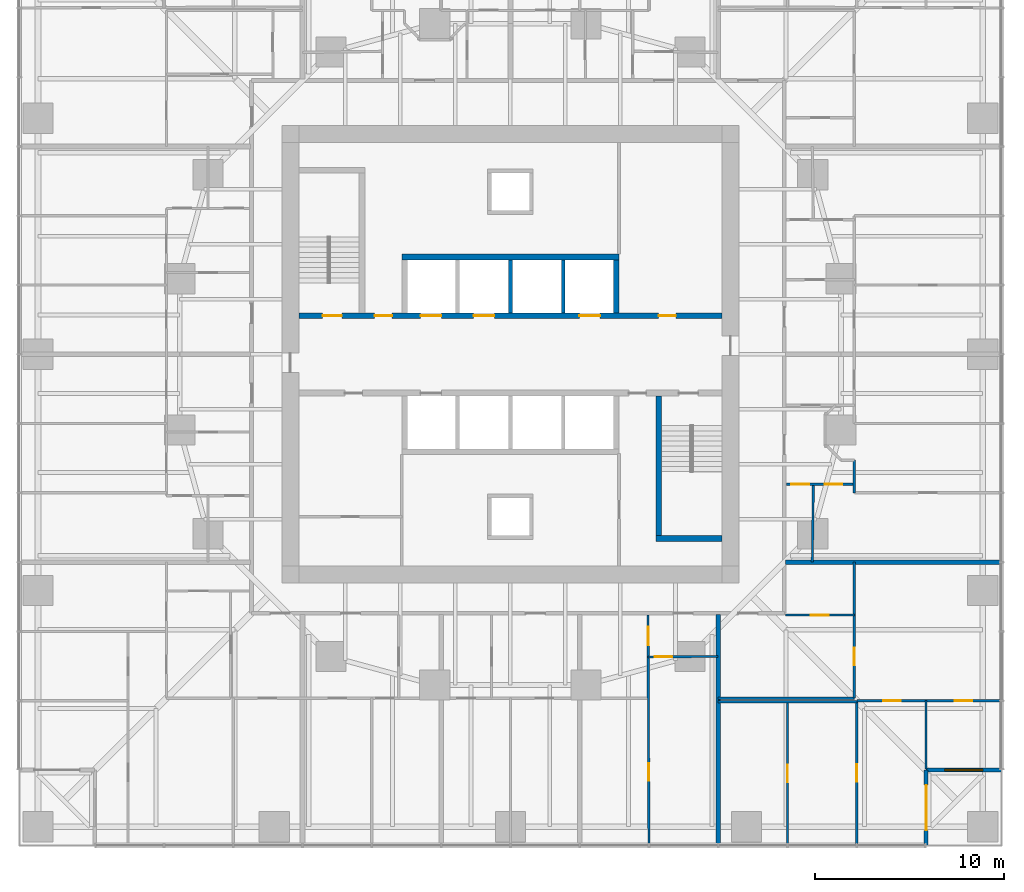
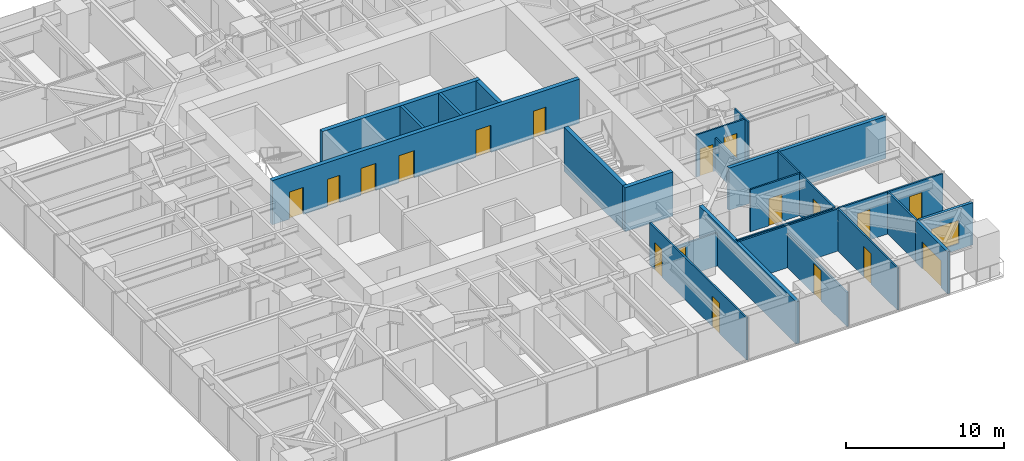
# One storey, part 10 of 16: 24 walls, 18 doors, 1 window, 19 openings.
"""IFC4 building model written with IfcOpenShell, lengths in metres."""

import ifcopenshell
import ifcopenshell.guid

model = None  # the IFC model being written
_history = None  # IfcOwnerHistory: only IFC2X3 demands one
_inside = {}  # id of a spatial element -> (the spatial element, [elements in it])
_under = {}  # id of a project, library or spatial element -> (it, [spatial elements below it])
_declared = {}  # id of a project -> (the project, [libraries it declares])
_typed = {}  # id of a type object -> (the type object, [elements of that type])
_made_of = {}  # id of a material, layer set ... -> (it, [elements and type objects made of it])


def new_model(schema):
    """Start an empty IFC model of exactly this schema.

    Asked for "IFC4X3", IfcOpenShell would pick the latest addendum, in which some entities
    have other attributes; the version numbers below select the first issue.
    IFC2X3 requires an IfcOwnerHistory on every rooted entity: one is made here for all.
    """
    global model, _history
    if schema == "IFC4X3":
        model = ifcopenshell.file(schema_version=(4, 3, 0, 0))
    else:
        model = ifcopenshell.file(schema=schema)
    _inside.clear()
    _under.clear()
    _declared.clear()
    _typed.clear()
    _made_of.clear()
    _history = None
    if model.schema == "IFC2X3":
        org = make("IfcOrganization", Name="unknown")
        user = make(
            "IfcPersonAndOrganization",
            ThePerson=make("IfcPerson", FamilyName="unknown"),
            TheOrganization=org,
        )
        app = make(
            "IfcApplication",
            ApplicationDeveloper=org,
            Version="unknown",
            ApplicationFullName="unknown",
            ApplicationIdentifier="unknown",
        )
        _history = make(
            "IfcOwnerHistory",
            OwningUser=user,
            OwningApplication=app,
            ChangeAction="ADDED",
            CreationDate=0,
        )
    return model


def make(cls, **values):
    """One entity of the class cls with the attributes given. An attribute that is None is left unset."""
    return model.create_entity(
        cls, **{name: value for name, value in values.items() if value is not None}
    )


def rooted(cls, **values):
    """An entity with a GlobalId (a new one), such as an element, a storey or a relation."""
    return make(cls, GlobalId=ifcopenshell.guid.new(), OwnerHistory=_history, **values)


def si_unit(unit_type, name, prefix=None):
    """IfcSIUnit, for example si_unit("LENGTHUNIT", "METRE", prefix="MILLI")."""
    return make("IfcSIUnit", UnitType=unit_type, Prefix=prefix, Name=name)


def assignment(units):
    """IfcUnitAssignment: the units of a project."""
    return None if units is None else make("IfcUnitAssignment", Units=units)


def point(xyz):
    """IfcCartesianPoint."""
    return None if xyz is None else make("IfcCartesianPoint", Coordinates=xyz)


def direction(xyz):
    """IfcDirection."""
    return None if xyz is None else make("IfcDirection", DirectionRatios=xyz)


def frame(location, z_axis=None, x_axis=None):
    """IfcAxis2Placement3D, a coordinate frame: its origin and axes. An axis left out is left unset."""
    return make(
        "IfcAxis2Placement3D",
        Location=point(location),
        Axis=direction(z_axis),
        RefDirection=direction(x_axis),
    )


def frame_2d(location, x_axis=None):
    """IfcAxis2Placement2D, a coordinate frame in the plane: its origin and x axis."""
    return make(
        "IfcAxis2Placement2D", Location=point(location), RefDirection=direction(x_axis)
    )


def origin():
    """The frame at (0, 0, 0) with its axes left unset."""
    return frame((0.0, 0.0, 0.0))


def place(relative_to, where):
    """IfcLocalPlacement: puts the frame where relative to a parent placement (None: the world)."""
    return make(
        "IfcLocalPlacement", PlacementRelTo=relative_to, RelativePlacement=where
    )


def context(
    kind, dimensions, precision=None, world=None, true_north=None, identifier=None
):
    """IfcGeometricRepresentationContext, for example the 3D "Model" context."""
    return make(
        "IfcGeometricRepresentationContext",
        ContextIdentifier=identifier,
        ContextType=kind,
        CoordinateSpaceDimension=dimensions,
        Precision=precision,
        WorldCoordinateSystem=world,
        TrueNorth=true_north,
    )


def subcontext(parent, identifier, kind, view, scale=None):
    """IfcGeometricRepresentationSubContext, for example "Body" below "Model"."""
    return make(
        "IfcGeometricRepresentationSubContext",
        ContextIdentifier=identifier,
        ContextType=kind,
        ParentContext=parent,
        TargetScale=scale,
        TargetView=view,
    )


def project(units=None, contexts=None):
    """IfcProject with its units and contexts."""
    return rooted(
        "IfcProject",
        Name="project",
        RepresentationContexts=contexts,
        UnitsInContext=assignment(units),
    )


def spatial(cls, under=None, at=None, **own):
    """A site, building, storey or space (cls), placed at a placement, below another one or the project."""
    s = rooted(cls, ObjectPlacement=at, **own)
    if under is not None:
        _under.setdefault(under.id(), (under, []))[1].append(s)
    return s


def profile(cls, at=None, kind="AREA", **sizes):
    """A parametric profile (cls). Its sizes go by their IFC names, for example OverallWidth=200.0."""
    return make(cls, ProfileType=kind, Position=at, **sizes)


def rectangle(**sizes):
    """IfcRectangleProfileDef."""
    return profile("IfcRectangleProfileDef", **sizes)


def extrude(swept, where, along, depth):
    """IfcExtrudedAreaSolid: the profile swept, set in the frame where, extruded along a direction by depth."""
    return make(
        "IfcExtrudedAreaSolid",
        SweptArea=swept,
        Position=where,
        ExtrudedDirection=direction(along),
        Depth=depth,
    )


def shape(context_of_items, identifier, shape_type, items):
    """IfcShapeRepresentation: the items that make up one representation, for example the "Body"."""
    return make(
        "IfcShapeRepresentation",
        ContextOfItems=context_of_items,
        RepresentationIdentifier=identifier,
        RepresentationType=shape_type,
        Items=items,
    )


def material(Name=None, Category=None):
    """IfcMaterial."""
    return make("IfcMaterial", Name=Name, Category=Category)


def layer(
    of_material, thickness, ventilated=None, Name=None, Category=None, Priority=None
):
    """IfcMaterialLayer: one layer of a wall or slab, of a material (None: an air gap)."""
    return make(
        "IfcMaterialLayer",
        Material=of_material,
        LayerThickness=thickness,
        IsVentilated=ventilated,
        Name=Name,
        Category=Category,
        Priority=Priority,
    )


def layer_set(layers, Name=None):
    """IfcMaterialLayerSet."""
    return make("IfcMaterialLayerSet", MaterialLayers=layers, LayerSetName=Name)


def made_of(thing, what):
    """Note that an element or type object is made of a material, layer set ...; save() writes the relation."""
    if what is not None:
        _made_of.setdefault(what.id(), (what, []))[1].append(thing)
    return thing


def type_object(cls, material=None, **own):
    """A type object (cls), such as IfcWallType, which elements share."""
    return made_of(rooted(cls, **own), material)


def element(
    cls,
    number,
    at=None,
    inside=None,
    cuts=None,
    type_object=None,
    material=None,
    context=None,
    identifier="Body",
    shape_type=None,
    held_by="IfcProductDefinitionShape",
    body=None,
    shapes=None,
    **own,
):
    """One element of the class cls, such as IfcWall. Its Tag is "e" and its number.

    at: its placement. inside: the storey or other place that contains it. cuts: it is an
    opening in that element (IfcRelVoidsElement). A single representation is given by context,
    identifier, shape_type and body (its items); several are given by shapes. held_by: the class
    of the entity that holds the representations. save() writes the other relations.
    """
    e = rooted(cls, Tag="e%d" % number, ObjectPlacement=at, **own)
    if body is not None:
        shapes = [shape(context, identifier, shape_type, body)]
    if shapes is not None:
        e.Representation = make(held_by, Representations=shapes)
    if inside is not None:
        _inside.setdefault(inside.id(), (inside, []))[1].append(e)
    if cuts is not None:
        rooted(
            "IfcRelVoidsElement", RelatingBuildingElement=cuts, RelatedOpeningElement=e
        )
    if type_object is not None:
        _typed.setdefault(type_object.id(), (type_object, []))[1].append(e)
    return made_of(e, material)


def fill(opening, filler):
    """IfcRelFillsElement: the door or window that sits in an opening."""
    return rooted(
        "IfcRelFillsElement",
        RelatingOpeningElement=opening,
        RelatedBuildingElement=filler,
    )


def aggregate(whole, parts):
    """IfcRelAggregates: a whole, such as a stair, and the parts it consists of."""
    return rooted("IfcRelAggregates", RelatingObject=whole, RelatedObjects=parts)


def save(model, path):
    """Write the relations noted so far, then the file.

    IfcRelAggregates (storeys below a building ...), IfcRelContainedInSpatialStructure (elements
    in a storey), IfcRelDefinesByType, IfcRelAssociatesMaterial and IfcRelDeclares: one each for
    every whole, place, type object, material and project.
    """
    for whole, parts in _under.values():
        aggregate(whole, parts)
    for where, things in _inside.values():
        rooted(
            "IfcRelContainedInSpatialStructure",
            RelatedElements=things,
            RelatingStructure=where,
        )
    for kind, things in _typed.values():
        rooted("IfcRelDefinesByType", RelatedObjects=things, RelatingType=kind)
    for what, things in _made_of.values():
        rooted("IfcRelAssociatesMaterial", RelatedObjects=things, RelatingMaterial=what)
    for by, libraries in _declared.values():
        rooted("IfcRelDeclares", RelatingContext=by, RelatedDefinitions=libraries)
    model.write(path)


model = new_model("IFC4")

# Units and contexts
model_context = context("Model", 3, precision=1e-05, world=origin(), true_north=direction((0.0, 1.0)))
body_context = subcontext(model_context, "Body", "Model", "MODEL_VIEW")
ifc_project = project(units=[si_unit("LENGTHUNIT", "METRE"), si_unit("AREAUNIT", "SQUARE_METRE"), si_unit("VOLUMEUNIT", "CUBIC_METRE"), si_unit("PLANEANGLEUNIT", "RADIAN"), si_unit("MASSUNIT", "GRAM", prefix="KILO")], contexts=[model_context])

# Site, building, storey
site_placement = place(None, origin())
site = spatial("IfcSite", under=ifc_project, at=site_placement, CompositionType="ELEMENT")
building_placement = place(site_placement, origin())
building = spatial("IfcBuilding", under=site, at=building_placement, Name="Torsade Residences", CompositionType="ELEMENT")
storey_placement = place(building_placement, frame((0.0, 0.0, 35.39990234375)))
storey = spatial("IfcBuildingStorey", under=building, at=storey_placement, Name="L09", CompositionType="ELEMENT", Elevation=35.39990234375)

# Wall, openings, doors
ifc_material_1 = material(Name="Concrete 80 MPa", Category="concrete")
ifc_layer_1 = layer(ifc_material_1, 0.300048828125)
ifc_layer_set_1 = layer_set([ifc_layer_1], Name="Concrete 80 MPa")
wall_type_1 = type_object("IfcWallType", Name="CORE INTERNAL WALL 300", PredefinedType="SHEAR", material=ifc_layer_set_1)
wall_1_placement = place(storey_placement, frame((28.800048828125, 32.050048828125, 0.0), z_axis=(0.0, 0.0, 1.0), x_axis=(1.0, 0.0, 0.0)))
wall_1 = element("IfcWall", 1, at=wall_1_placement, inside=storey, type_object=wall_type_1, Name="Core wall LN L09", PredefinedType="SHEAR", context=body_context, shape_type="SweptSolid", body=[
    extrude(rectangle(XDim=22.39990234375, YDim=0.300048828125, at=frame_2d((11.199951171875, 0.0))), origin(), (0.0, 0.0, 1.0), 3.400146484375),
])
opening_1_placement = place(wall_1_placement, frame((19.0400390625, 0.0, 0.0)))
opening_1 = element("IfcOpeningElement", 2, at=opening_1_placement, cuts=wall_1, Name="Opening D06", PredefinedType="OPENING", context=body_context, shape_type="SweptSolid", body=[
    extrude(rectangle(XDim=0.919921875, YDim=2.10009765625, at=frame_2d((0.4599609375, 1.050048828125))), frame((0.0, 0.159912109375, 0.0), z_axis=(0.0, -1.0, 0.0), x_axis=(1.0, 0.0, 0.0)), (0.0, 0.0, 1.0), 0.320068359375),
])
opening_2_placement = place(wall_1_placement, frame((1.264892578125, 0.0, 0.0)))
opening_2 = element("IfcOpeningElement", 3, at=opening_2_placement, cuts=wall_1, Name="Opening D03", PredefinedType="OPENING", context=body_context, shape_type="SweptSolid", body=[
    extrude(rectangle(XDim=1.02001953125, YDim=2.10009765625, at=frame_2d((0.510009765625, 1.050048828125))), frame((0.0, 0.159912109375, 0.0), z_axis=(0.0, -1.0, 0.0), x_axis=(1.0, 0.0, 0.0)), (0.0, 0.0, 1.0), 0.320068359375),
])
opening_3_placement = place(wall_1_placement, frame((4.014892578125, 0.0, 0.0)))
opening_3 = element("IfcOpeningElement", 4, at=opening_3_placement, cuts=wall_1, Name="Opening D06", PredefinedType="OPENING", context=body_context, shape_type="SweptSolid", body=[
    extrude(rectangle(XDim=0.919921875, YDim=2.10009765625, at=frame_2d((0.4599609375, 1.050048828125))), frame((0.0, 0.159912109375, 0.0), z_axis=(0.0, -1.0, 0.0), x_axis=(1.0, 0.0, 0.0)), (0.0, 0.0, 1.0), 0.320068359375),
])
opening_4_placement = place(wall_1_placement, frame((6.449951171875, 0.0, 0.0)))
opening_4 = element("IfcOpeningElement", 5, at=opening_4_placement, cuts=wall_1, Name="Opening LD", PredefinedType="OPENING", context=body_context, shape_type="SweptSolid", body=[
    extrude(rectangle(XDim=1.10009765625, YDim=2.10009765625, at=frame_2d((0.550048828125, 1.050048828125))), frame((0.0, 0.159912109375, 0.0), z_axis=(0.0, -1.0, 0.0), x_axis=(1.0, 0.0, 0.0)), (0.0, 0.0, 1.0), 0.320068359375),
])
opening_5_placement = place(wall_1_placement, frame((9.25, 0.0, 0.0)))
opening_5 = element("IfcOpeningElement", 6, at=opening_5_placement, cuts=wall_1, Name="Opening LD", PredefinedType="OPENING", context=body_context, shape_type="SweptSolid", body=[
    extrude(rectangle(XDim=1.10009765625, YDim=2.10009765625, at=frame_2d((0.550048828125, 1.050048828125))), frame((0.0, 0.159912109375, 0.0), z_axis=(0.0, -1.0, 0.0), x_axis=(1.0, 0.0, 0.0)), (0.0, 0.0, 1.0), 0.320068359375),
])
opening_6_placement = place(wall_1_placement, frame((14.85009765625, 0.0, 0.0)))
opening_6 = element("IfcOpeningElement", 7, at=opening_6_placement, cuts=wall_1, Name="Opening LD", PredefinedType="OPENING", context=body_context, shape_type="SweptSolid", body=[
    extrude(rectangle(XDim=1.10009765625, YDim=2.10009765625, at=frame_2d((0.550048828125, 1.050048828125))), frame((0.0, 0.159912109375, 0.0), z_axis=(0.0, -1.0, 0.0), x_axis=(1.0, 0.0, 0.0)), (0.0, 0.0, 1.0), 0.320068359375),
])
ifc_material_2 = material(Name="Steel-framed fire door", Category="steel")
door_type_1 = type_object("IfcDoorType", Name="FIRE DOOR 1020", OperationType="NOTDEFINED", PredefinedType="DOOR", material=ifc_material_2)
door_1_placement = place(opening_2_placement, origin())
door_1 = element("IfcDoor", 8, at=door_1_placement, inside=storey, type_object=door_type_1, Name="Exit door to fire-isolated stair ST1 L09", OperationType="SINGLE_SWING_RIGHT", OverallHeight=2.10009765625, OverallWidth=1.02001953125, PredefinedType="DOOR", context=body_context, shape_type="SweptSolid", body=[
    extrude(rectangle(XDim=1.02001953125, YDim=2.10009765625, at=frame_2d((0.510009765625, 1.050048828125))), frame((0.0, 0.02490234375, 0.0), z_axis=(0.0, -1.0, 0.0), x_axis=(1.0, 0.0, 0.0)), (0.0, 0.0, 1.0), 0.050048828125),
])
fill(opening_2, door_1)
ifc_material_3 = material(Name="Steel-framed fire door", Category="steel")
door_type_2 = type_object("IfcDoorType", Name="FIRE DOOR 920", OperationType="NOTDEFINED", PredefinedType="DOOR", material=ifc_material_3)
door_2_placement = place(opening_1_placement, origin())
door_2 = element("IfcDoor", 9, at=door_2_placement, inside=storey, type_object=door_type_2, Name="Door Lift lobby to Refuse room", OperationType="SINGLE_SWING_LEFT", OverallHeight=2.10009765625, OverallWidth=0.919921875, PredefinedType="DOOR", context=body_context, shape_type="SweptSolid", body=[
    extrude(rectangle(XDim=0.919921875, YDim=2.10009765625, at=frame_2d((0.4599609375, 1.050048828125))), frame((0.0, 0.02490234375, 0.0), z_axis=(0.0, -1.0, 0.0), x_axis=(1.0, 0.0, 0.0)), (0.0, 0.0, 1.0), 0.050048828125),
])
fill(opening_1, door_2)
door_3_placement = place(opening_3_placement, origin())
door_3 = element("IfcDoor", 10, at=door_3_placement, inside=storey, type_object=door_type_2, Name="Door Lift lobby to Electrical riser room", OperationType="SINGLE_SWING_LEFT", OverallHeight=2.10009765625, OverallWidth=0.919921875, PredefinedType="DOOR", context=body_context, shape_type="SweptSolid", body=[
    extrude(rectangle(XDim=0.919921875, YDim=2.10009765625, at=frame_2d((0.4599609375, 1.050048828125))), frame((0.0, 0.02490234375, 0.0), z_axis=(0.0, -1.0, 0.0), x_axis=(1.0, 0.0, 0.0)), (0.0, 0.0, 1.0), 0.050048828125),
])
fill(opening_3, door_3)
ifc_material_4 = material(Name="Stainless steel lift landing door", Category="steel")
door_type_3 = type_object("IfcDoorType", Name="LIFT LANDING DOOR 1100", OperationType="SLIDING_TO_LEFT", PredefinedType="DOOR", material=ifc_material_4)
door_4_placement = place(opening_4_placement, origin())
door_4 = element("IfcDoor", 11, at=door_4_placement, inside=storey, type_object=door_type_3, Name="Lift LA1 landing door L09", OperationType="SLIDING_TO_LEFT", OverallHeight=2.10009765625, OverallWidth=1.10009765625, PredefinedType="DOOR", context=body_context, shape_type="SweptSolid", body=[
    extrude(rectangle(XDim=1.10009765625, YDim=2.10009765625, at=frame_2d((0.550048828125, 1.050048828125))), frame((0.0, 0.02490234375, 0.0), z_axis=(0.0, -1.0, 0.0), x_axis=(1.0, 0.0, 0.0)), (0.0, 0.0, 1.0), 0.050048828125),
])
fill(opening_4, door_4)
door_5_placement = place(opening_5_placement, origin())
door_5 = element("IfcDoor", 12, at=door_5_placement, inside=storey, type_object=door_type_3, Name="Lift LA2 landing door L09", OperationType="SLIDING_TO_LEFT", OverallHeight=2.10009765625, OverallWidth=1.10009765625, PredefinedType="DOOR", context=body_context, shape_type="SweptSolid", body=[
    extrude(rectangle(XDim=1.10009765625, YDim=2.10009765625, at=frame_2d((0.550048828125, 1.050048828125))), frame((0.0, 0.02490234375, 0.0), z_axis=(0.0, -1.0, 0.0), x_axis=(1.0, 0.0, 0.0)), (0.0, 0.0, 1.0), 0.050048828125),
])
fill(opening_5, door_5)
door_6_placement = place(opening_6_placement, origin())
door_6 = element("IfcDoor", 13, at=door_6_placement, inside=storey, type_object=door_type_3, Name="Lift FL1 landing door L09", OperationType="SLIDING_TO_LEFT", OverallHeight=2.10009765625, OverallWidth=1.10009765625, PredefinedType="DOOR", context=body_context, shape_type="SweptSolid", body=[
    extrude(rectangle(XDim=1.10009765625, YDim=2.10009765625, at=frame_2d((0.550048828125, 1.050048828125))), frame((0.0, 0.02490234375, 0.0), z_axis=(0.0, -1.0, 0.0), x_axis=(1.0, 0.0, 0.0)), (0.0, 0.0, 1.0), 0.050048828125),
])
fill(opening_6, door_6)

# Walls
wall_2_placement = place(storey_placement, frame((34.25, 35.14990234375, 0.0), z_axis=(0.0, 0.0, 1.0), x_axis=(1.0, 0.0, 0.0)))
element("IfcWall", 14, at=wall_2_placement, inside=storey, type_object=wall_type_1, Name="Core wall BN L09", PredefinedType="SHEAR", context=body_context, shape_type="SweptSolid", body=[
    extrude(rectangle(XDim=11.5, YDim=0.300048828125, at=frame_2d((5.75, 0.0))), origin(), (0.0, 0.0, 1.0), 3.400146484375),
])
wall_3_placement = place(storey_placement, frame((45.60009765625, 32.199951171875, 0.0), z_axis=(0.0, 0.0, 1.0), x_axis=(0.0, 1.0, 0.0)))
element("IfcWall", 15, at=wall_3_placement, inside=storey, type_object=wall_type_1, Name="Core wall DN4 L09", PredefinedType="SHEAR", context=body_context, shape_type="SweptSolid", body=[
    extrude(rectangle(XDim=2.800048828125, YDim=0.300048828125, at=frame_2d((1.39990234375, 0.0))), origin(), (0.0, 0.0, 1.0), 3.400146484375),
])
wall_4_placement = place(storey_placement, frame((47.85009765625, 27.800048828125, 0.0), z_axis=(0.0, 0.0, 1.0), x_axis=(0.0, -1.0, 0.0)))
element("IfcWall", 16, at=wall_4_placement, inside=storey, type_object=wall_type_1, Name="Core wall ST2W L09", PredefinedType="SHEAR", context=body_context, shape_type="SweptSolid", body=[
    extrude(rectangle(XDim=7.699951171875, YDim=0.300048828125, at=frame_2d((3.85009765625, 0.0))), origin(), (0.0, 0.0, 1.0), 3.400146484375),
])
wall_5_placement = place(storey_placement, frame((51.199951171875, 20.25, 0.0), z_axis=(0.0, 0.0, 1.0), x_axis=(-1.0, 0.0, 0.0)))
element("IfcWall", 17, at=wall_5_placement, inside=storey, type_object=wall_type_1, Name="Core wall ST2S L09", PredefinedType="SHEAR", context=body_context, shape_type="SweptSolid", body=[
    extrude(rectangle(XDim=3.5, YDim=0.300048828125, at=frame_2d((1.75, 0.0))), origin(), (0.0, 0.0, 1.0), 3.400146484375),
])
ifc_material_5 = material(Name="Reinforced blockwork", Category="masonry")
ifc_layer_2 = layer(ifc_material_5, 0.199951171875)
ifc_layer_set_2 = layer_set([ifc_layer_2], Name="Reinforced blockwork")
wall_type_2 = type_object("IfcWallType", Name="LIFT SHAFT DIVIDING WALL 200", PredefinedType="SOLIDWALL", material=ifc_layer_set_2)
for number, where, z_axis, x_axis, name in (
    (18, (40.0, 32.199951171875, 0.0), (0.0, 0.0, 1.0), (0.0, 1.0, 0.0), "Core wall DN2 L09"),
    (19, (42.800048828125, 32.199951171875, 0.0), (0.0, 0.0, 1.0), (0.0, 1.0, 0.0), "Core wall DN3 L09"),
):
    element("IfcWall", number, at=place(storey_placement, frame(where, z_axis=z_axis, x_axis=x_axis)), inside=storey, type_object=wall_type_2, Name=name, PredefinedType="SOLIDWALL", context=body_context, shape_type="SweptSolid", body=[
        extrude(rectangle(XDim=2.800048828125, YDim=0.199951171875, at=frame_2d((1.39990234375, 0.0))), origin(), (0.0, 0.0, 1.0), 3.400146484375),
    ])

# Wall, openings, doors
ifc_material_6 = material(Name="Plasterboard on steel stud", Category="steel")
ifc_layer_3 = layer(ifc_material_6, 0.1201171875)
ifc_layer_set_3 = layer_set([ifc_layer_3], Name="Plasterboard on steel stud")
wall_type_3 = type_object("IfcWallType", Name="PARTITION 120", PredefinedType="PARTITIONING", material=ifc_layer_set_3)
wall_6_placement = place(storey_placement, frame((47.333251953125, 4.0400390625, 0.0), z_axis=(0.0, 0.0, 1.0), x_axis=(-0.003834774141, 0.999992647227, 0.0)))
wall_6 = element("IfcWall", 20, at=wall_6_placement, inside=storey, type_object=wall_type_3, Name="Partition L09", PredefinedType="PARTITIONING", context=body_context, shape_type="SweptSolid", body=[
    extrude(rectangle(XDim=12.159912109375, YDim=0.1201171875, at=frame_2d((6.080078125, 0.0))), origin(), (0.0, 0.0, 1.0), 3.25),
])
opening_7_placement = place(wall_6_placement, frame((10.5703125, 0.0, 0.0)))
opening_7 = element("IfcOpeningElement", 21, at=opening_7_placement, cuts=wall_6, Name="Opening D05", PredefinedType="OPENING", context=body_context, shape_type="SweptSolid", body=[
    extrude(rectangle(XDim=0.9599609375, YDim=2.10009765625, at=frame_2d((0.47998046875, 1.050048828125))), frame((0.0, 0.070068359375, 0.0), z_axis=(0.0, -1.0, 0.0), x_axis=(1.0, 0.0, 0.0)), (0.0, 0.0, 1.0), 0.14013671875),
])
opening_8_placement = place(wall_6_placement, frame((3.39990234375, 0.0, 0.0)))
opening_8 = element("IfcOpeningElement", 22, at=opening_8_placement, cuts=wall_6, Name="Opening D02", PredefinedType="OPENING", context=body_context, shape_type="SweptSolid", body=[
    extrude(rectangle(XDim=0.919921875, YDim=2.340087890625, at=frame_2d((0.4599609375, 1.169921875))), frame((0.0, 0.070068359375, 0.0), z_axis=(0.0, -1.0, 0.0), x_axis=(1.0, 0.0, 0.0)), (0.0, 0.0, 1.0), 0.14013671875),
])
ifc_material_7 = material(Name="Hollow-core timber door in a steel cavity frame", Category="steel")
door_type_4 = type_object("IfcDoorType", Name="BATHROOM CAVITY SLIDING DOOR 960", OperationType="SLIDING_TO_LEFT", PredefinedType="DOOR", material=ifc_material_7)
door_7_placement = place(opening_7_placement, origin())
door_7 = element("IfcDoor", 23, at=door_7_placement, inside=storey, type_object=door_type_4, Name="Door Kitchen and dining to Bathroom", OperationType="SLIDING_TO_LEFT", OverallHeight=2.10009765625, OverallWidth=0.9599609375, PredefinedType="DOOR", context=body_context, shape_type="SweptSolid", body=[
    extrude(rectangle(XDim=0.9599609375, YDim=2.10009765625, at=frame_2d((0.47998046875, 1.050048828125))), frame((0.0, 0.02490234375, 0.0), z_axis=(0.0, -1.0, 0.0), x_axis=(1.0, 0.0, 0.0)), (0.0, 0.0, 1.0), 0.050048828125),
])
fill(opening_7, door_7)
ifc_material_8 = material(Name="Hollow-core timber door", Category="wood")
door_type_5 = type_object("IfcDoorType", Name="INTERNAL DOOR 920x2340", OperationType="NOTDEFINED", PredefinedType="DOOR", material=ifc_material_8)
door_8_placement = place(opening_8_placement, origin())
door_8 = element("IfcDoor", 24, at=door_8_placement, inside=storey, type_object=door_type_5, Name="Door Living room to Bedroom 1", OperationType="SINGLE_SWING_RIGHT", OverallHeight=2.340087890625, OverallWidth=0.919921875, PredefinedType="DOOR", context=body_context, shape_type="SweptSolid", body=[
    extrude(rectangle(XDim=0.919921875, YDim=2.340087890625, at=frame_2d((0.4599609375, 1.169921875))), frame((0.0, 0.02490234375, 0.0), z_axis=(0.0, -1.0, 0.0), x_axis=(1.0, 0.0, 0.0)), (0.0, 0.0, 1.0), 0.050048828125),
])
fill(opening_8, door_8)

# Wall, opening, door
wall_7_placement = place(storey_placement, frame((51.0, 14.01318359375, 0.0), z_axis=(0.0, 0.0, 1.0), x_axis=(-0.999961771263, -0.008743912924, 0.0)))
wall_7 = element("IfcWall", 25, at=wall_7_placement, inside=storey, type_object=wall_type_3, Name="Partition L09", PredefinedType="PARTITIONING", context=body_context, shape_type="SweptSolid", body=[
    extrude(rectangle(XDim=3.713623046875, YDim=0.1201171875, at=frame_2d((1.85693359375, 0.0))), origin(), (0.0, 0.0, 1.0), 2.549072265625),
])
opening_9_placement = place(wall_7_placement, frame((2.44677734375, 0.0, 0.0)))
opening_9 = element("IfcOpeningElement", 26, at=opening_9_placement, cuts=wall_7, Name="Opening D02", PredefinedType="OPENING", context=body_context, shape_type="SweptSolid", body=[
    extrude(rectangle(XDim=0.919921875, YDim=2.340087890625, at=frame_2d((0.4599609375, 1.169921875))), frame((0.0, 0.070068359375, 0.0), z_axis=(0.0, -1.0, 0.0), x_axis=(1.0, 0.0, 0.0)), (0.0, 0.0, 1.0), 0.14013671875),
])
door_9_placement = place(opening_9_placement, origin())
door_9 = element("IfcDoor", 27, at=door_9_placement, inside=storey, type_object=door_type_5, Name="Door Kitchen and dining to Living room", OperationType="SINGLE_SWING_LEFT", OverallHeight=2.340087890625, OverallWidth=0.919921875, PredefinedType="DOOR", context=body_context, shape_type="SweptSolid", body=[
    extrude(rectangle(XDim=0.919921875, YDim=2.340087890625, at=frame_2d((0.4599609375, 1.169921875))), frame((0.0, 0.02490234375, 0.0), z_axis=(0.0, -1.0, 0.0), x_axis=(1.0, 0.0, 0.0)), (0.0, 0.0, 1.0), 0.050048828125),
])
fill(opening_9, door_9)

wall_8_placement = place(storey_placement, frame((54.550048828125, 16.199951171875, 0.0), z_axis=(0.0, 0.0, 1.0), x_axis=(1.0, 0.0, 0.0)))
wall_8 = element("IfcWall", 28, at=wall_8_placement, inside=storey, type_object=wall_type_3, Name="Partition L09", PredefinedType="PARTITIONING", context=body_context, shape_type="SweptSolid", body=[
    extrude(rectangle(XDim=3.64990234375, YDim=0.1201171875, at=frame_2d((1.824951171875, 0.0))), origin(), (0.0, 0.0, 1.0), 3.25),
])
opening_10_placement = place(wall_8_placement, frame((1.344970703125, 0.0, 0.0)))
opening_10 = element("IfcOpeningElement", 29, at=opening_10_placement, cuts=wall_8, Name="Opening D05", PredefinedType="OPENING", context=body_context, shape_type="SweptSolid", body=[
    extrude(rectangle(XDim=0.9599609375, YDim=2.10009765625, at=frame_2d((0.47998046875, 1.050048828125))), frame((0.0, 0.070068359375, 0.0), z_axis=(0.0, -1.0, 0.0), x_axis=(1.0, 0.0, 0.0)), (0.0, 0.0, 1.0), 0.14013671875),
])
door_10_placement = place(opening_10_placement, origin())
door_10 = element("IfcDoor", 30, at=door_10_placement, inside=storey, type_object=door_type_4, Name="Door Kitchen and dining to Bathroom", OperationType="SLIDING_TO_LEFT", OverallHeight=2.10009765625, OverallWidth=0.9599609375, PredefinedType="DOOR", context=body_context, shape_type="SweptSolid", body=[
    extrude(rectangle(XDim=0.9599609375, YDim=2.10009765625, at=frame_2d((0.47998046875, 1.050048828125))), frame((0.0, 0.02490234375, 0.0), z_axis=(0.0, -1.0, 0.0), x_axis=(1.0, 0.0, 0.0)), (0.0, 0.0, 1.0), 0.050048828125),
])
fill(opening_10, door_10)

wall_9_placement = place(storey_placement, frame((58.199951171875, 19.0, 0.0), z_axis=(0.0, 0.0, 1.0), x_axis=(0.0, -1.0, 0.0)))
wall_9 = element("IfcWall", 31, at=wall_9_placement, inside=storey, type_object=wall_type_3, Name="Partition L09", PredefinedType="PARTITIONING", context=body_context, shape_type="SweptSolid", body=[
    extrude(rectangle(XDim=7.199951171875, YDim=0.1201171875, at=frame_2d((3.60009765625, 0.0))), origin(), (0.0, 0.0, 1.0), 3.25),
])
opening_11_placement = place(wall_9_placement, frame((4.5400390625, 0.0, 0.0)))
opening_11 = element("IfcOpeningElement", 32, at=opening_11_placement, cuts=wall_9, Name="Opening D02", PredefinedType="OPENING", context=body_context, shape_type="SweptSolid", body=[
    extrude(rectangle(XDim=0.919921875, YDim=2.340087890625, at=frame_2d((0.4599609375, 1.169921875))), frame((0.0, 0.070068359375, 0.0), z_axis=(0.0, -1.0, 0.0), x_axis=(1.0, 0.0, 0.0)), (0.0, 0.0, 1.0), 0.14013671875),
])
door_11_placement = place(opening_11_placement, origin())
door_11 = element("IfcDoor", 33, at=door_11_placement, inside=storey, type_object=door_type_5, Name="Door Kitchen and dining to Living room", OperationType="SINGLE_SWING_RIGHT", OverallHeight=2.340087890625, OverallWidth=0.919921875, PredefinedType="DOOR", context=body_context, shape_type="SweptSolid", body=[
    extrude(rectangle(XDim=0.919921875, YDim=2.340087890625, at=frame_2d((0.4599609375, 1.169921875))), frame((0.0, 0.02490234375, 0.0), z_axis=(0.0, -1.0, 0.0), x_axis=(1.0, 0.0, 0.0)), (0.0, 0.0, 1.0), 0.050048828125),
])
fill(opening_11, door_11)

# Wall
wall_10_placement = place(storey_placement, frame((58.199951171875, 11.800048828125, 0.0), z_axis=(0.0, 0.0, 1.0), x_axis=(-1.0, 0.0, 0.0)))
element("IfcWall", 34, at=wall_10_placement, inside=storey, type_object=wall_type_3, Name="Partition L09", PredefinedType="PARTITIONING", context=body_context, shape_type="SweptSolid", body=[
    extrude(rectangle(XDim=7.199951171875, YDim=0.1201171875, at=frame_2d((3.60009765625, 0.0))), origin(), (0.0, 0.0, 1.0), 3.25),
])

# Wall, openings, doors
wall_11_placement = place(storey_placement, frame((65.9599609375, 11.666748046875, 0.0), z_axis=(0.0, 0.0, 1.0), x_axis=(-1.0, 0.0, 0.0)))
wall_11 = element("IfcWall", 35, at=wall_11_placement, inside=storey, type_object=wall_type_3, Name="Partition L09", PredefinedType="PARTITIONING", context=body_context, shape_type="SweptSolid", body=[
    extrude(rectangle(XDim=7.626708984375, YDim=0.1201171875, at=frame_2d((3.8134765625, 0.0))), origin(), (0.0, 0.0, 1.0), 3.25),
])
opening_12_placement = place(wall_11_placement, frame((1.52490234375, 0.0, 0.0)))
opening_12 = element("IfcOpeningElement", 36, at=opening_12_placement, cuts=wall_11, Name="Opening D02", PredefinedType="OPENING", context=body_context, shape_type="SweptSolid", body=[
    extrude(rectangle(XDim=0.919921875, YDim=2.340087890625, at=frame_2d((0.4599609375, 1.169921875))), frame((0.0, 0.070068359375, 0.0), z_axis=(0.0, -1.0, 0.0), x_axis=(1.0, 0.0, 0.0)), (0.0, 0.0, 1.0), 0.14013671875),
])
opening_13_placement = place(wall_11_placement, frame((5.308349609375, 0.0, 0.0)))
opening_13 = element("IfcOpeningElement", 37, at=opening_13_placement, cuts=wall_11, Name="Opening D02", PredefinedType="OPENING", context=body_context, shape_type="SweptSolid", body=[
    extrude(rectangle(XDim=0.919921875, YDim=2.340087890625, at=frame_2d((0.4599609375, 1.169921875))), frame((0.0, 0.070068359375, 0.0), z_axis=(0.0, -1.0, 0.0), x_axis=(1.0, 0.0, 0.0)), (0.0, 0.0, 1.0), 0.14013671875),
])
door_12_placement = place(opening_12_placement, origin())
door_12 = element("IfcDoor", 38, at=door_12_placement, inside=storey, type_object=door_type_5, Name="Door Living room to Family room", OperationType="SINGLE_SWING_RIGHT", OverallHeight=2.340087890625, OverallWidth=0.919921875, PredefinedType="DOOR", context=body_context, shape_type="SweptSolid", body=[
    extrude(rectangle(XDim=0.919921875, YDim=2.340087890625, at=frame_2d((0.4599609375, 1.169921875))), frame((0.0, 0.02490234375, 0.0), z_axis=(0.0, -1.0, 0.0), x_axis=(1.0, 0.0, 0.0)), (0.0, 0.0, 1.0), 0.050048828125),
])
fill(opening_12, door_12)
door_13_placement = place(opening_13_placement, origin())
door_13 = element("IfcDoor", 39, at=door_13_placement, inside=storey, type_object=door_type_5, Name="Door Living room to Bedroom 1", OperationType="SINGLE_SWING_RIGHT", OverallHeight=2.340087890625, OverallWidth=0.919921875, PredefinedType="DOOR", context=body_context, shape_type="SweptSolid", body=[
    extrude(rectangle(XDim=0.919921875, YDim=2.340087890625, at=frame_2d((0.4599609375, 1.169921875))), frame((0.0, 0.02490234375, 0.0), z_axis=(0.0, -1.0, 0.0), x_axis=(1.0, 0.0, 0.0)), (0.0, 0.0, 1.0), 0.050048828125),
])
fill(opening_13, door_13)

# Wall
wall_12_placement = place(storey_placement, frame((58.333251953125, 11.61669921875, 0.0), z_axis=(0.0, 0.0, 1.0), x_axis=(-1.0, 0.0, 0.0)))
element("IfcWall", 40, at=wall_12_placement, inside=storey, type_object=wall_type_3, Name="Partition L09", PredefinedType="PARTITIONING", context=body_context, shape_type="SweptSolid", body=[
    extrude(rectangle(XDim=7.333251953125, YDim=0.1201171875, at=frame_2d((3.66650390625, 0.0))), origin(), (0.0, 0.0, 1.0), 3.25),
])

# Wall, opening, door
wall_13_placement = place(storey_placement, frame((58.333251953125, 4.0400390625, 0.0), z_axis=(0.0, 0.0, 1.0), x_axis=(0.0, 1.0, 0.0)))
wall_13 = element("IfcWall", 41, at=wall_13_placement, inside=storey, type_object=wall_type_3, Name="Partition L09", PredefinedType="PARTITIONING", context=body_context, shape_type="SweptSolid", body=[
    extrude(rectangle(XDim=7.626708984375, YDim=0.1201171875, at=frame_2d((3.8134765625, 0.0))), origin(), (0.0, 0.0, 1.0), 3.25),
])
opening_14_placement = place(wall_13_placement, frame((3.333251953125, 0.0, 0.0)))
opening_14 = element("IfcOpeningElement", 42, at=opening_14_placement, cuts=wall_13, Name="Opening D02", PredefinedType="OPENING", context=body_context, shape_type="SweptSolid", body=[
    extrude(rectangle(XDim=0.919921875, YDim=2.340087890625, at=frame_2d((0.4599609375, 1.169921875))), frame((0.0, 0.070068359375, 0.0), z_axis=(0.0, -1.0, 0.0), x_axis=(1.0, 0.0, 0.0)), (0.0, 0.0, 1.0), 0.14013671875),
])
door_14_placement = place(opening_14_placement, origin())
door_14 = element("IfcDoor", 43, at=door_14_placement, inside=storey, type_object=door_type_5, Name="Door Bedroom 1 to Study", OperationType="SINGLE_SWING_RIGHT", OverallHeight=2.340087890625, OverallWidth=0.919921875, PredefinedType="DOOR", context=body_context, shape_type="SweptSolid", body=[
    extrude(rectangle(XDim=0.919921875, YDim=2.340087890625, at=frame_2d((0.4599609375, 1.169921875))), frame((0.0, 0.02490234375, 0.0), z_axis=(0.0, -1.0, 0.0), x_axis=(1.0, 0.0, 0.0)), (0.0, 0.0, 1.0), 0.050048828125),
])
fill(opening_14, door_14)

# Wall
wall_14_placement = place(storey_placement, frame((62.0, 11.666748046875, 0.0), z_axis=(0.0, 0.0, 1.0), x_axis=(0.0, -1.0, 0.0)))
element("IfcWall", 44, at=wall_14_placement, inside=storey, type_object=wall_type_3, Name="Partition L09", PredefinedType="PARTITIONING", context=body_context, shape_type="SweptSolid", body=[
    extrude(rectangle(XDim=3.626708984375, YDim=0.1201171875, at=frame_2d((1.8134765625, 0.0))), origin(), (0.0, 0.0, 1.0), 3.25),
])

# Wall, opening, door
wall_15_placement = place(storey_placement, frame((54.666748046875, 11.61669921875, 0.0), z_axis=(0.0, 0.0, 1.0), x_axis=(0.0, -1.0, 0.0)))
wall_15 = element("IfcWall", 45, at=wall_15_placement, inside=storey, type_object=wall_type_3, Name="Partition L09", PredefinedType="PARTITIONING", context=body_context, shape_type="SweptSolid", body=[
    extrude(rectangle(XDim=7.57666015625, YDim=0.1201171875, at=frame_2d((3.788330078125, 0.0))), origin(), (0.0, 0.0, 1.0), 2.63818359375),
])
opening_15_placement = place(wall_15_placement, frame((3.348388671875, 0.0, 0.0)))
opening_15 = element("IfcOpeningElement", 46, at=opening_15_placement, cuts=wall_15, Name="Opening D02", PredefinedType="OPENING", context=body_context, shape_type="SweptSolid", body=[
    extrude(rectangle(XDim=0.919921875, YDim=2.340087890625, at=frame_2d((0.4599609375, 1.169921875))), frame((0.0, 0.070068359375, 0.0), z_axis=(0.0, -1.0, 0.0), x_axis=(1.0, 0.0, 0.0)), (0.0, 0.0, 1.0), 0.14013671875),
])
door_15_placement = place(opening_15_placement, origin())
door_15 = element("IfcDoor", 47, at=door_15_placement, inside=storey, type_object=door_type_5, Name="Door Study to Bedroom 2", OperationType="SINGLE_SWING_LEFT", OverallHeight=2.340087890625, OverallWidth=0.919921875, PredefinedType="DOOR", context=body_context, shape_type="SweptSolid", body=[
    extrude(rectangle(XDim=0.919921875, YDim=2.340087890625, at=frame_2d((0.4599609375, 1.169921875))), frame((0.0, 0.02490234375, 0.0), z_axis=(0.0, -1.0, 0.0), x_axis=(1.0, 0.0, 0.0)), (0.0, 0.0, 1.0), 0.050048828125),
])
fill(opening_15, door_15)

# Wall, openings, doors
wall_16_placement = place(storey_placement, frame((58.199951171875, 23.118408203125, 0.0), z_axis=(0.0, 0.0, 1.0), x_axis=(-1.0, 0.0, 0.0)))
wall_16 = element("IfcWall", 48, at=wall_16_placement, inside=storey, type_object=wall_type_3, Name="Partition L09", PredefinedType="PARTITIONING", context=body_context, shape_type="SweptSolid", body=[
    extrude(rectangle(XDim=3.599853515625, YDim=0.1201171875, at=frame_2d((1.7998046875, 0.0))), origin(), (0.0, 0.0, 1.0), 3.25),
])
opening_16_placement = place(wall_16_placement, frame((0.6474609375, 0.0, 0.0)))
opening_16 = element("IfcOpeningElement", 49, at=opening_16_placement, cuts=wall_16, Name="Opening D02", PredefinedType="OPENING", context=body_context, shape_type="SweptSolid", body=[
    extrude(rectangle(XDim=0.919921875, YDim=2.340087890625, at=frame_2d((0.4599609375, 1.169921875))), frame((0.0, 0.070068359375, 0.0), z_axis=(0.0, -1.0, 0.0), x_axis=(1.0, 0.0, 0.0)), (0.0, 0.0, 1.0), 0.14013671875),
])
opening_17_placement = place(wall_16_placement, frame((2.37744140625, 0.0, 0.0)))
opening_17 = element("IfcOpeningElement", 50, at=opening_17_placement, cuts=wall_16, Name="Opening D05", PredefinedType="OPENING", context=body_context, shape_type="SweptSolid", body=[
    extrude(rectangle(XDim=0.9599609375, YDim=2.10009765625, at=frame_2d((0.47998046875, 1.050048828125))), frame((0.0, 0.070068359375, 0.0), z_axis=(0.0, -1.0, 0.0), x_axis=(1.0, 0.0, 0.0)), (0.0, 0.0, 1.0), 0.14013671875),
])
door_16_placement = place(opening_17_placement, origin())
door_16 = element("IfcDoor", 51, at=door_16_placement, inside=storey, type_object=door_type_4, Name="Door Kitchen and dining to Bathroom", OperationType="SLIDING_TO_LEFT", OverallHeight=2.10009765625, OverallWidth=0.9599609375, PredefinedType="DOOR", context=body_context, shape_type="SweptSolid", body=[
    extrude(rectangle(XDim=0.9599609375, YDim=2.10009765625, at=frame_2d((0.47998046875, 1.050048828125))), frame((0.0, 0.02490234375, 0.0), z_axis=(0.0, -1.0, 0.0), x_axis=(1.0, 0.0, 0.0)), (0.0, 0.0, 1.0), 0.050048828125),
])
fill(opening_17, door_16)
door_17_placement = place(opening_16_placement, origin())
door_17 = element("IfcDoor", 52, at=door_17_placement, inside=storey, type_object=door_type_5, Name="Door Kitchen and dining to Living room", OperationType="SINGLE_SWING_LEFT", OverallHeight=2.340087890625, OverallWidth=0.919921875, PredefinedType="DOOR", context=body_context, shape_type="SweptSolid", body=[
    extrude(rectangle(XDim=0.919921875, YDim=2.340087890625, at=frame_2d((0.4599609375, 1.169921875))), frame((0.0, 0.02490234375, 0.0), z_axis=(0.0, -1.0, 0.0), x_axis=(1.0, 0.0, 0.0)), (0.0, 0.0, 1.0), 0.050048828125),
])
fill(opening_16, door_17)

# Walls
wall_17_placement = place(storey_placement, frame((58.199951171875, 24.39990234375, 0.0), z_axis=(0.0, 0.0, 1.0), x_axis=(0.0, -1.0, 0.0)))
element("IfcWall", 53, at=wall_17_placement, inside=storey, type_object=wall_type_3, Name="Partition L09", PredefinedType="PARTITIONING", context=body_context, shape_type="SweptSolid", body=[
    extrude(rectangle(XDim=1.733154296875, YDim=0.1201171875, at=frame_2d((0.86669921875, 0.0))), origin(), (0.0, 0.0, 1.0), 3.25),
])
wall_18_placement = place(storey_placement, frame((56.03515625, 23.118408203125, 0.0), z_axis=(0.0, 0.0, 1.0), x_axis=(-0.013455418228, -0.999909471762, 0.0)))
element("IfcWall", 54, at=wall_18_placement, inside=storey, type_object=wall_type_3, Name="Partition L09", PredefinedType="PARTITIONING", context=body_context, shape_type="SweptSolid", body=[
    extrude(rectangle(XDim=4.118896484375, YDim=0.1201171875, at=frame_2d((2.0595703125, 0.0))), origin(), (0.0, 0.0, 1.0), 2.549072265625),
])
ifc_material_9 = material(Name="Masonry-lined stud party wall", Category="masonry")
ifc_layer_4 = layer(ifc_material_9, 0.25)
ifc_layer_set_4 = layer_set([ifc_layer_4], Name="Masonry-lined stud party wall")
wall_type_4 = type_object("IfcWallType", Name="PARTY WALL 250", PredefinedType="PARTITIONING", material=ifc_layer_set_4)
wall_19_placement = place(storey_placement, frame((51.0, 4.0, 0.0), z_axis=(0.0, 0.0, 1.0), x_axis=(0.0, 1.0, 0.0)))
element("IfcWall", 55, at=wall_19_placement, inside=storey, type_object=wall_type_4, Name="Party wall L09", PredefinedType="PARTITIONING", context=body_context, shape_type="SweptSolid", body=[
    extrude(rectangle(XDim=12.239990234375, YDim=0.25, at=frame_2d((6.1201171875, 0.0))), origin(), (0.0, 0.0, 1.0), 3.25),
])
wall_20_placement = place(storey_placement, frame((66.0, 19.0, 0.0), z_axis=(0.0, 0.0, 1.0), x_axis=(-1.0, 0.0, 0.0)))
element("IfcWall", 56, at=wall_20_placement, inside=storey, type_object=wall_type_4, Name="Party wall L09", PredefinedType="PARTITIONING", context=body_context, shape_type="SweptSolid", body=[
    extrude(rectangle(XDim=11.43994140625, YDim=0.25, at=frame_2d((5.719970703125, 0.0))), origin(), (0.0, 0.0, 1.0), 3.25),
])

# Wall, opening, door
ifc_material_10 = material(Name="Stone-faced precast concrete 40 MPa panel", Category="masonry")
ifc_layer_5 = layer(ifc_material_10, 0.199951171875)
ifc_layer_set_5 = layer_set([ifc_layer_5], Name="Stone-faced precast concrete 40 MPa panel")
wall_type_5 = type_object("IfcWallType", Name="TERRACE WALL 200", PredefinedType="SOLIDWALL", material=ifc_layer_set_5)
wall_21_placement = place(storey_placement, frame((62.0, 4.0, 0.0), z_axis=(0.0, 0.0, 1.0), x_axis=(0.0, 1.0, 0.0)))
wall_21 = element("IfcWall", 57, at=wall_21_placement, inside=storey, type_object=wall_type_5, Name="Terrace wall L09 2", PredefinedType="SOLIDWALL", context=body_context, shape_type="SweptSolid", body=[
    extrude(rectangle(XDim=4.0, YDim=0.199951171875, at=frame_2d((2.0, 0.0))), origin(), (0.0, 0.0, 1.0), 3.25),
])
opening_18_placement = place(wall_21_placement, frame((0.800048828125, 0.0, 0.0)))
opening_18 = element("IfcOpeningElement", 58, at=opening_18_placement, cuts=wall_21, Name="Opening D10A", PredefinedType="OPENING", context=body_context, shape_type="SweptSolid", body=[
    extrude(rectangle(XDim=2.39990234375, YDim=2.10009765625, at=frame_2d((1.199951171875, 1.050048828125))), frame((0.0, 0.10986328125, 0.0), z_axis=(0.0, -1.0, 0.0), x_axis=(1.0, 0.0, 0.0)), (0.0, 0.0, 1.0), 0.219970703125),
])
ifc_material_11 = material(Name="Aluminium-framed glass door", Category="aluminium")
door_type_6 = type_object("IfcDoorType", Name="TERRACE SLIDING DOOR 2400x2100", OperationType="SLIDING_TO_LEFT", PredefinedType="DOOR", material=ifc_material_11)
door_18_placement = place(opening_18_placement, origin())
door_18 = element("IfcDoor", 59, at=door_18_placement, inside=storey, type_object=door_type_6, Name="Terrace door L09 2", OperationType="SLIDING_TO_LEFT", OverallHeight=2.10009765625, OverallWidth=2.39990234375, PredefinedType="DOOR", context=body_context, shape_type="SweptSolid", body=[
    extrude(rectangle(XDim=2.39990234375, YDim=2.10009765625, at=frame_2d((1.199951171875, 1.050048828125))), frame((0.0, 0.02490234375, 0.0), z_axis=(0.0, -1.0, 0.0), x_axis=(1.0, 0.0, 0.0)), (0.0, 0.0, 1.0), 0.050048828125),
])
fill(opening_18, door_18)

# Wall, opening, window
wall_22_placement = place(storey_placement, frame((62.0, 8.0, 0.0), z_axis=(0.0, 0.0, 1.0), x_axis=(1.0, 0.0, 0.0)))
wall_22 = element("IfcWall", 60, at=wall_22_placement, inside=storey, type_object=wall_type_5, Name="Terrace wall L09 3", PredefinedType="SOLIDWALL", context=body_context, shape_type="SweptSolid", body=[
    extrude(rectangle(XDim=4.0, YDim=0.199951171875, at=frame_2d((2.0, 0.0))), origin(), (0.0, 0.0, 1.0), 3.25),
])
opening_19_placement = place(wall_22_placement, frame((1.0, 0.0, 0.449951171875)))
opening_19 = element("IfcOpeningElement", 61, at=opening_19_placement, cuts=wall_22, Name="Opening W1B", PredefinedType="OPENING", context=body_context, shape_type="SweptSolid", body=[
    extrude(rectangle(XDim=2.0, YDim=1.800048828125, at=frame_2d((1.0, 0.89990234375))), frame((0.0, 0.10986328125, 0.0), z_axis=(0.0, -1.0, 0.0), x_axis=(1.0, 0.0, 0.0)), (0.0, 0.0, 1.0), 0.219970703125),
])
ifc_material_12 = material(Name="Aluminium-framed glass window", Category="aluminium")
window_type = type_object("IfcWindowType", Name="TERRACE WINDOW 2000x1800", PartitioningType="SINGLE_PANEL", PredefinedType="WINDOW", material=ifc_material_12)
window_placement = place(opening_19_placement, origin())
window = element("IfcWindow", 62, at=window_placement, inside=storey, type_object=window_type, Name="Terrace window L09 3", OverallHeight=1.800048828125, OverallWidth=2.0, PartitioningType="SINGLE_PANEL", PredefinedType="WINDOW", context=body_context, shape_type="SweptSolid", body=[
    extrude(rectangle(XDim=2.0, YDim=1.800048828125, at=frame_2d((1.0, 0.89990234375))), frame((0.0, 0.030029296875, 0.0), z_axis=(0.0, -1.0, 0.0), x_axis=(1.0, 0.0, 0.0)), (0.0, 0.0, 1.0), 0.06005859375),
])
fill(opening_19, window)

save(model, "model.ifc")
